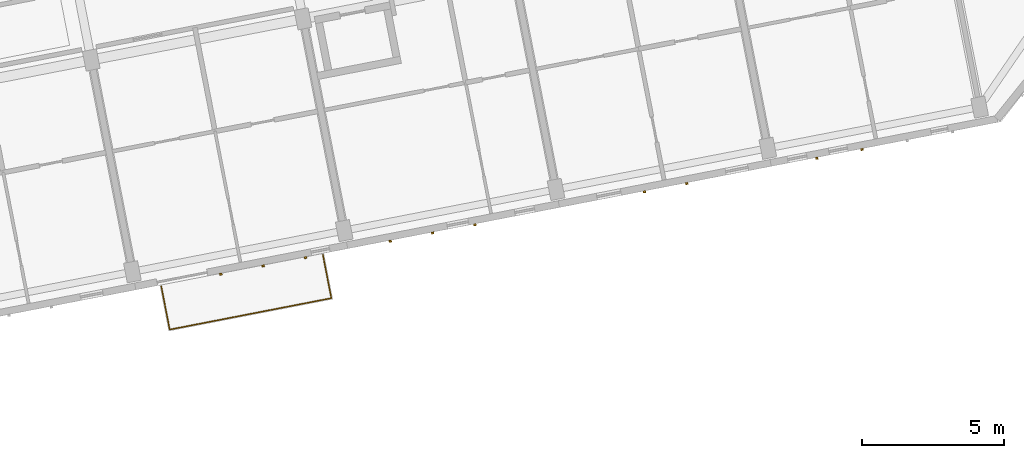
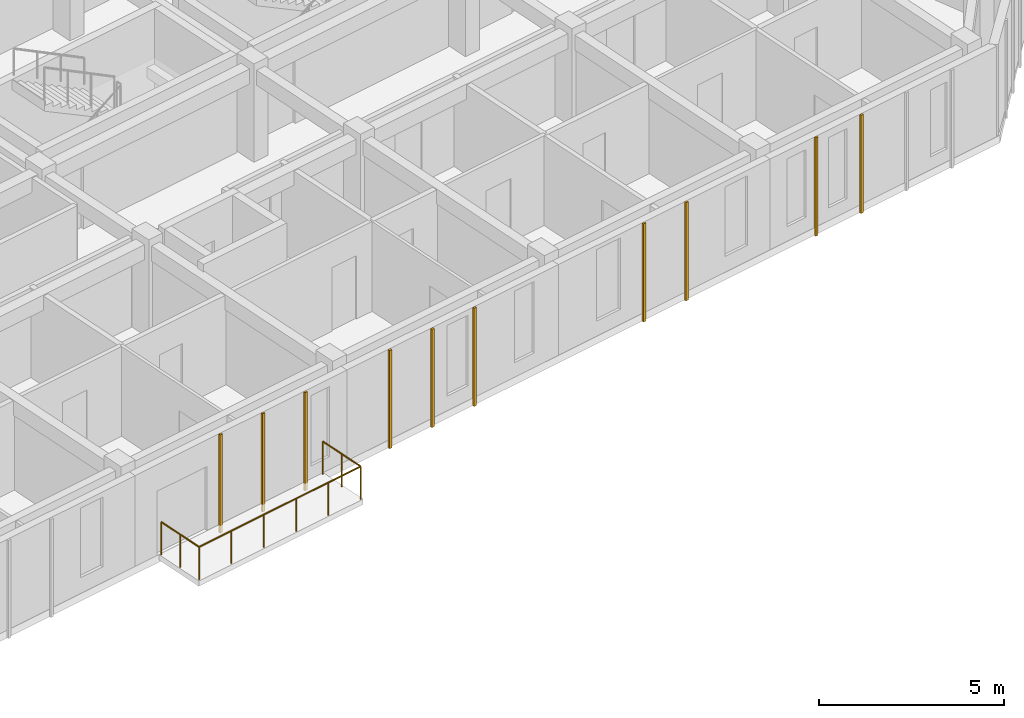
# One storey, part 59 of 66: 10 coverings, 1 railing.
"""IFC4 building model written with IfcOpenShell, lengths in metres."""

from ifc_helpers import new_model, si_unit, direction, frame, origin, origin_2d, place, context, subcontext, project, spatial, rectangle, circle, extrude, material, layer, layer_set, type_object, element, save


model = new_model("IFC4")

# Units and contexts
model_context = context("Model", 3, precision=1e-05, world=origin(), true_north=direction((0.0, 1.0)))
body_context = subcontext(model_context, "Body", "Model", "MODEL_VIEW")
ifc_project = project(units=[si_unit("LENGTHUNIT", "METRE"), si_unit("AREAUNIT", "SQUARE_METRE"), si_unit("VOLUMEUNIT", "CUBIC_METRE"), si_unit("PLANEANGLEUNIT", "RADIAN"), si_unit("MASSUNIT", "GRAM", prefix="KILO")], contexts=[model_context])

# Site, building, storey
site_placement = place(None, origin())
site = spatial("IfcSite", under=ifc_project, at=site_placement, CompositionType="ELEMENT")
building_placement = place(site_placement, origin())
building = spatial("IfcBuilding", under=site, at=building_placement, Name="Kestramere Prow Commons", CompositionType="ELEMENT")
storey_placement = place(building_placement, frame((0.0, 0.0, 14.89990234375)))
storey = spatial("IfcBuildingStorey", under=building, at=storey_placement, Name="L04", CompositionType="ELEMENT", Elevation=14.89990234375)

# Coverings
ifc_material_1 = material(Name="Weathered Zinc-Titanium Standing-Seam Cladding")
ifc_layer = layer(ifc_material_1, 0.074951171875)
ifc_layer_set = layer_set([ifc_layer], Name="Weathered Zinc-Titanium Standing-Seam Cladding")
covering_type = type_object("IfcCoveringType", Name="COV-CLAD-SEAM", PredefinedType="CLADDING", material=ifc_layer_set)
for number, where, z_axis, x_axis, name in (
    (1, (139.418212890625, 37.395263671875, -0.25), (0.0, 0.0, 1.0), (-0.981627183448, -0.190808995377, 0.0), "EW-D-L04-S-2 Standing-Seam Rib 1"),
    (2, (137.92626953125, 37.105224609375, -0.25), (0.0, 0.0, 1.0), (-0.981627183448, -0.190808995377, 0.0), "EW-D-L04-S-2 Standing-Seam Rib 2"),
    (3, (136.43408203125, 36.815185546875, -0.25), (0.0, 0.0, 1.0), (-0.981627183448, -0.190808995377, 0.0), "EW-D-L04-S-2 Standing-Seam Rib 3"),
    (4, (145.386474609375, 38.555419921875, -0.25), (0.0, 0.0, 1.0), (-0.981627183448, -0.190808995377, 0.0), "EW-D-L04-S-3 Standing-Seam Rib 2"),
    (5, (143.89453125, 38.265380859375, -0.25), (0.0, 0.0, 1.0), (-0.981627183448, -0.190808995377, 0.0), "EW-D-L04-S-3 Standing-Seam Rib 3"),
    (6, (142.40234375, 37.975341796875, -0.25), (0.0, 0.0, 1.0), (-0.981627183448, -0.190808995377, 0.0), "EW-D-L04-S-3 Standing-Seam Rib 4"),
    (7, (152.846923828125, 40.005615234375, -0.25), (0.0, 0.0, 1.0), (-0.981627183448, -0.190808995377, 0.0), "EW-D-L04-S-4 Standing-Seam Rib 2"),
    (8, (151.35498046875, 39.715576171875, -0.25), (0.0, 0.0, 1.0), (-0.981627183448, -0.190808995377, 0.0), "EW-D-L04-S-4 Standing-Seam Rib 3"),
    (9, (159.021484375, 41.205810546875, -0.25), (0.0, 0.0, 1.0), (-0.981627183448, -0.190808995377, 0.0), "EW-D-L04-S-5 Standing-Seam Rib 3"),
    (10, (157.42626953125, 40.895751953125, -0.25), (0.0, 0.0, 1.0), (-0.981627183448, -0.190808995377, 0.0), "EW-D-L04-S-5 Standing-Seam Rib 4"),
):
    element("IfcCovering", number, at=place(storey_placement, frame(where, z_axis=z_axis, x_axis=x_axis)), inside=storey, type_object=covering_type, Name=name, PredefinedType="CLADDING", context=body_context, shape_type="SweptSolid", body=[
        extrude(rectangle(XDim=0.0849609375, YDim=0.06494140625, at=origin_2d()), origin(), (0.0, 0.0, 1.0), 3.25),
    ])

# Railing
ifc_material_2 = material(Name="Powder-Coated Aluminium 6063-T6", Category="aluminium")
railing_type = type_object("IfcRailingType", Name="GRD-BALC-1100", PredefinedType="BALUSTRADE", material=ifc_material_2)
railing_placement = place(storey_placement, frame((134.3359375, 36.394775390625, 0.0)))
element("IfcRailing", 11, at=railing_placement, inside=storey, type_object=railing_type, Name="Block D L04 Balcony Guardrail 3", PredefinedType="BALUSTRADE", context=body_context, shape_type="SweptSolid", body=[
    extrude(circle(Radius=0.02392578125, at=origin_2d()), frame((0.0, 0.0, 1.076171875), z_axis=(0.190756568988, -0.981637372652, 0.0), x_axis=(0.981637372652, 0.190756568988, 0.0)), (0.0, 0.0, 1.0), 1.56005859375),
    extrude(circle(Radius=0.02392578125, at=origin_2d()), frame((0.297607421875, -1.531494140625, 1.076171875), z_axis=(0.981626779841, 0.190811071742, 0.0), x_axis=(-0.190811071742, 0.981626779841, 0.0)), (0.0, 0.0, 1.0), 5.7998046875),
    extrude(circle(Radius=0.02392578125, at=origin_2d()), frame((5.990966796875, -0.4248046875, 1.076171875), z_axis=(-0.190756568988, 0.981637372652, 0.0), x_axis=(-0.981637372652, -0.190756568988, 0.0)), (0.0, 0.0, 1.0), 1.56005859375),
    extrude(circle(Radius=0.02099609375, at=origin_2d()), origin(), (0.0, 0.0, 1.0), 1.052001953125),
    extrude(circle(Radius=0.02099609375, at=origin_2d()), frame((0.14892578125, -0.765625, 0.0)), (0.0, 0.0, 1.0), 1.052001953125),
    extrude(circle(Radius=0.02099609375, at=origin_2d()), frame((0.297607421875, -1.531494140625, 0.0)), (0.0, 0.0, 1.0), 1.052001953125),
    extrude(circle(Radius=0.02099609375, at=origin_2d()), frame((1.436279296875, -1.31005859375, 0.0)), (0.0, 0.0, 1.0), 1.052001953125),
    extrude(circle(Radius=0.02099609375, at=origin_2d()), frame((2.574951171875, -1.0888671875, 0.0)), (0.0, 0.0, 1.0), 1.052001953125),
    extrude(circle(Radius=0.02099609375, at=origin_2d()), frame((3.713623046875, -0.867431640625, 0.0)), (0.0, 0.0, 1.0), 1.052001953125),
    extrude(circle(Radius=0.02099609375, at=origin_2d()), frame((4.852294921875, -0.646240234375, 0.0)), (0.0, 0.0, 1.0), 1.052001953125),
    extrude(circle(Radius=0.02099609375, at=origin_2d()), frame((5.990966796875, -0.4248046875, 0.0)), (0.0, 0.0, 1.0), 1.052001953125),
    extrude(circle(Radius=0.02099609375, at=origin_2d()), frame((5.84228515625, 0.3408203125, 0.0)), (0.0, 0.0, 1.0), 1.052001953125),
    extrude(circle(Radius=0.02099609375, at=origin_2d()), frame((5.693359375, 1.106689453125, 0.0)), (0.0, 0.0, 1.0), 1.052001953125),
])

save(model, "model.ifc")
